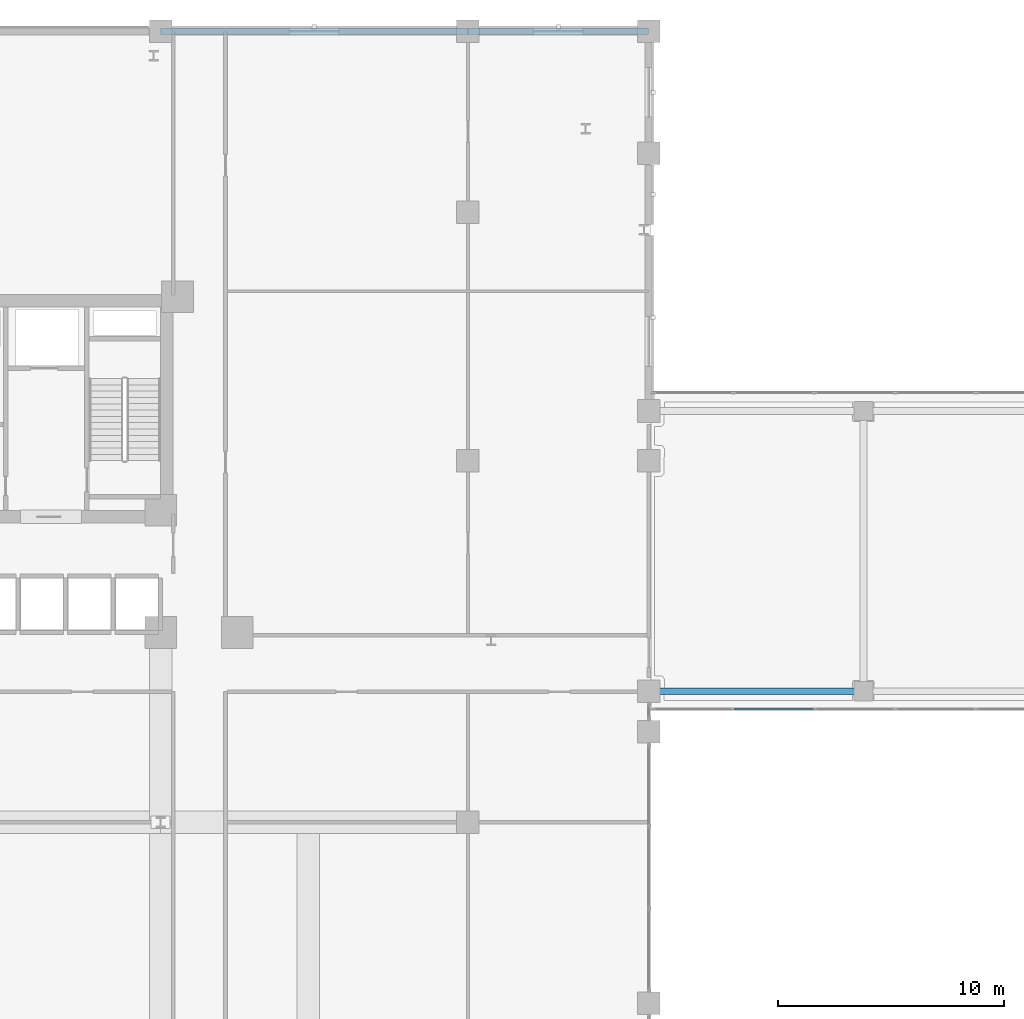
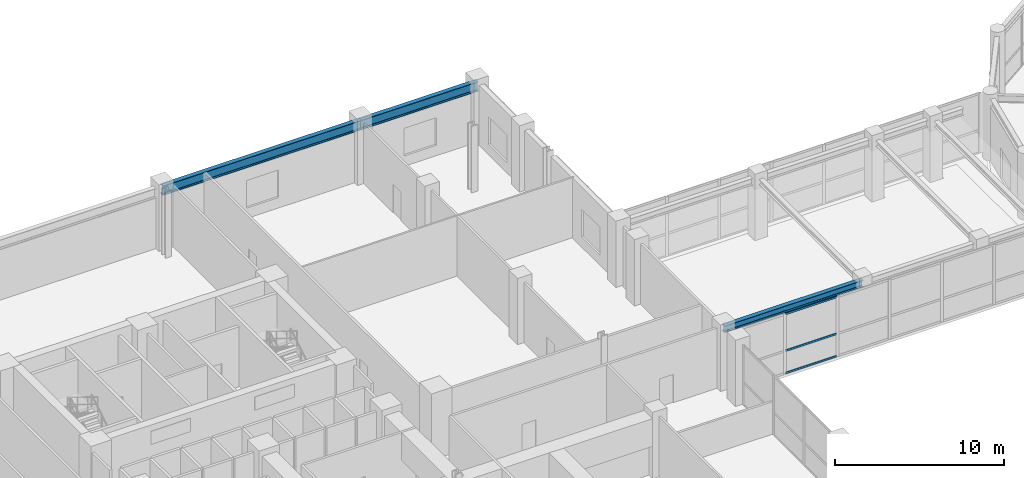
# One storey, part 17 of 44: 3 beams, 3 members, 1 element without a shape of its own.
"""IFC4 building model written with IfcOpenShell, lengths in metres."""

from ifc_helpers import new_model, si_unit, derived_unit, direction, frame, origin, origin_2d, place, context, subcontext, project, spatial, hollow_rectangle, i_section, extrude, source, transform, mapped, material, layer, layer_set, material_profile, profile_set, type_object, element, aggregate, save


model = new_model("IFC4")

# Units and contexts
model_context = context("Model", 3, precision=1e-05, world=origin(), true_north=direction((0.0, 1.0)))
body_context = subcontext(model_context, "Body", "Model", "MODEL_VIEW")
ifc_project = project(units=[si_unit("LENGTHUNIT", "METRE"), si_unit("AREAUNIT", "SQUARE_METRE"), si_unit("VOLUMEUNIT", "CUBIC_METRE"), si_unit("PLANEANGLEUNIT", "RADIAN"), si_unit("MASSUNIT", "GRAM", prefix="KILO"), derived_unit("THERMALTRANSMITTANCEUNIT", [(si_unit("POWERUNIT", "WATT"), 1), (si_unit("LENGTHUNIT", "METRE"), -2), (si_unit("THERMODYNAMICTEMPERATUREUNIT", "KELVIN"), -1)])], contexts=[model_context])

# Site, building, storey
site_placement = place(None, origin())
site = spatial("IfcSite", under=ifc_project, at=site_placement, CompositionType="ELEMENT")
building_placement = place(site_placement, origin())
building = spatial("IfcBuilding", under=site, at=building_placement, Name="Korsvarv Bourse and Concert Hall", CompositionType="ELEMENT")
storey_placement = place(building_placement, frame((0.0, 0.0, 9.60009765625)))
storey = spatial("IfcBuildingStorey", under=building, at=storey_placement, Name="L02", CompositionType="ELEMENT", Elevation=9.60009765625)

# Beams
ifc_material_1 = material(Name="Steel S355", Category="steel")
ifc_material_profile_1 = material_profile(ifc_material_1, i_section(OverallWidth=0.300048828125, OverallDepth=0.489990234375, WebThickness=0.011962890625, FlangeThickness=0.02294921875, FilletRadius=0.02392578125, at=origin_2d()), Name="HEA 500")
ifc_profile_set_1 = profile_set([ifc_material_profile_1], Name="Steel S355")
beam_type_1 = type_object("IfcBeamType", Name="BM-HEA500", PredefinedType="BEAM", material=ifc_profile_set_1)
shared_shape_1 = source(origin(), body_context, "Body", "SweptSolid", [
    extrude(i_section(OverallWidth=0.300048828125, OverallDepth=0.489990234375, WebThickness=0.011962890625, FlangeThickness=0.02294921875, FilletRadius=0.02392578125, at=origin_2d()), origin(), (0.0, 0.0, 1.0), 9.5),
])
beam_1_placement = place(storey_placement, frame((66.0, 29.800048828125, 4.10498046875), z_axis=(1.0, 0.0, 0.0), x_axis=(0.0, 1.0, 0.0)))
element("IfcBeam", 1, at=beam_1_placement, inside=storey, type_object=beam_type_1, Name="L02 beam B-10", PredefinedType="BEAM", context=body_context, shape_type="MappedRepresentation", body=[
    mapped(shared_shape_1, transform((0.0, 0.0, 0.0), scale=1.0)),
])
ifc_material_profile_2 = material_profile(ifc_material_1, i_section(OverallWidth=0.300048828125, OverallDepth=0.699951171875, WebThickness=0.01708984375, FlangeThickness=0.031982421875, FilletRadius=0.027099609375, at=origin_2d()), Name="HEB 700")
ifc_profile_set_2 = profile_set([ifc_material_profile_2], Name="Steel S355")
beam_type_2 = type_object("IfcBeamType", Name="BM-HEB700", PredefinedType="BEAM", material=ifc_profile_set_2)
shared_shape_2 = source(origin(), body_context, "Body", "SweptSolid", [
    extrude(i_section(OverallWidth=0.300048828125, OverallDepth=0.699951171875, WebThickness=0.01708984375, FlangeThickness=0.031982421875, FilletRadius=0.027099609375, at=origin_2d()), origin(), (0.0, 0.0, 1.0), 13.60009765625),
])
beam_2_placement = place(storey_placement, frame((44.39990234375, 59.0, 4.0), z_axis=(1.0, 0.0, 0.0), x_axis=(0.0, 1.0, 0.0)))
element("IfcBeam", 2, at=beam_2_placement, inside=storey, type_object=beam_type_2, Name="L02 beam B-03", PredefinedType="BEAM", context=body_context, shape_type="MappedRepresentation", body=[
    mapped(shared_shape_2, transform((0.0, 0.0, 0.0), scale=1.0)),
])
shared_shape_3 = source(origin(), body_context, "Body", "SweptSolid", [
    extrude(i_section(OverallWidth=0.300048828125, OverallDepth=0.699951171875, WebThickness=0.01708984375, FlangeThickness=0.031982421875, FilletRadius=0.027099609375, at=origin_2d()), origin(), (0.0, 0.0, 1.0), 8.0),
])
beam_3_placement = place(storey_placement, frame((58.0, 59.0, 4.0), z_axis=(1.0, 0.0, 0.0), x_axis=(0.0, 1.0, 0.0)))
element("IfcBeam", 3, at=beam_3_placement, inside=storey, type_object=beam_type_2, Name="L02 beam B-03", PredefinedType="BEAM", context=body_context, shape_type="MappedRepresentation", body=[
    mapped(shared_shape_3, transform((0.0, 0.0, 0.0), scale=1.0)),
])

# Curtain wall, members
ifc_material_2 = material(Name="Anodised aluminium and triple low-E glazing", Category="glass")
ifc_layer = layer(ifc_material_2, 0.239990234375)
ifc_layer_set = layer_set([ifc_layer], Name="Anodised aluminium and triple low-E glazing")
curtain_wall_type = type_object("IfcCurtainWallType", Name="CW-SYS-5", PredefinedType="NOTDEFINED", material=ifc_layer_set)
curtain_wall_placement = place(storey_placement, origin())
curtain_wall = element("IfcCurtainWall", 4, at=curtain_wall_placement, inside=storey, type_object=curtain_wall_type, Name="L02 CW5 curtain wall CW-L02-LKS", PredefinedType="NOTDEFINED")
ifc_material_3 = material(Name="Extruded aluminium EN AW-6063 T66", Category="aluminium")
ifc_material_profile_3 = material_profile(ifc_material_3, hollow_rectangle(XDim=0.06494140625, YDim=0.139892578125, WallThickness=0.00390625, at=origin_2d()), Name="ALU-T 65x140")
ifc_profile_set_3 = profile_set([ifc_material_profile_3], Name="Extruded aluminium EN AW-6063 T66")
member_type = type_object("IfcMemberType", Name="CWT-140", PredefinedType="USERDEFINED", material=ifc_profile_set_3)
shared_shape_4 = source(origin(), body_context, "Body", "SweptSolid", [
    extrude(hollow_rectangle(XDim=0.06494140625, YDim=0.139892578125, WallThickness=0.00390625, at=origin_2d()), origin(), (0.0, 0.0, 1.0), 3.510009765625),
])
member_1_placement = place(storey_placement, frame((69.77490234375, 29.0, 0.032470703125), z_axis=(1.0, 0.0, 0.0), x_axis=(0.0, 1.0, 0.0)))
member_1 = element("IfcMember", 5, at=member_1_placement, type_object=member_type, Name="CW5 transom 2.1", ObjectType="TRANSOM", PredefinedType="USERDEFINED", context=body_context, shape_type="MappedRepresentation", body=[
    mapped(shared_shape_4, transform((0.0, 0.0, 0.0), scale=1.0)),
])
member_2_placement = place(storey_placement, frame((69.77490234375, 29.0, 1.65283203125), z_axis=(1.0, 0.0, 0.0), x_axis=(0.0, 1.0, 0.0)))
member_2 = element("IfcMember", 6, at=member_2_placement, type_object=member_type, Name="CW5 transom 2.2", ObjectType="TRANSOM", PredefinedType="USERDEFINED", context=body_context, shape_type="MappedRepresentation", body=[
    mapped(shared_shape_4, transform((0.0, 0.0, 0.0), scale=1.0)),
])
member_3_placement = place(storey_placement, frame((69.77490234375, 29.0, 4.3173828125), z_axis=(1.0, 0.0, 0.0), x_axis=(0.0, 1.0, 0.0)))
member_3 = element("IfcMember", 7, at=member_3_placement, type_object=member_type, Name="CW5 transom 2.3", ObjectType="TRANSOM", PredefinedType="USERDEFINED", context=body_context, shape_type="MappedRepresentation", body=[
    mapped(shared_shape_4, transform((0.0, 0.0, 0.0), scale=1.0)),
])
aggregate(curtain_wall, [member_1, member_2, member_3])

save(model, "model.ifc")
